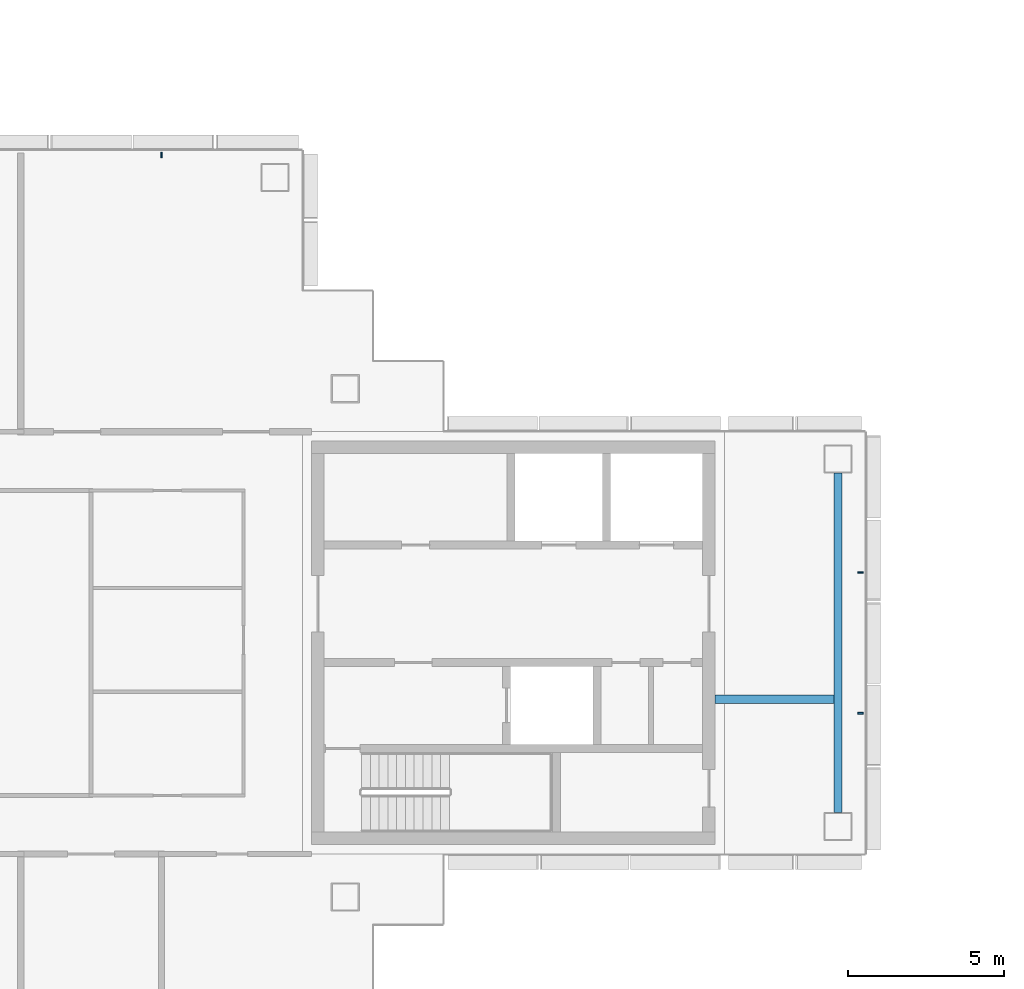
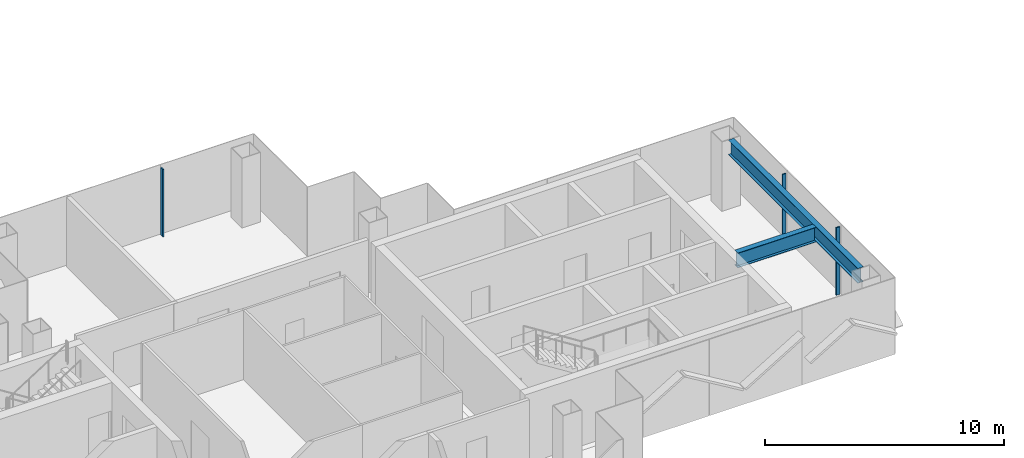
# One storey, part 4 of 17: 3 members, 2 beams, 2 elements without a shape of their own.
"""IFC4 building model written with IfcOpenShell, lengths in metres."""

from ifc_helpers import new_model, si_unit, direction, frame, origin, origin_2d, place, context, subcontext, project, spatial, rectangle, i_section, extrude, material, layer, layer_set, material_profile, profile_set, type_object, element, aggregate, save


model = new_model("IFC4")

# Units and contexts
model_context = context("Model", 3, precision=1e-05, world=origin(), true_north=direction((0.0, 1.0)))
body_context = subcontext(model_context, "Body", "Model", "MODEL_VIEW")
ifc_project = project(units=[si_unit("LENGTHUNIT", "METRE"), si_unit("AREAUNIT", "SQUARE_METRE"), si_unit("VOLUMEUNIT", "CUBIC_METRE"), si_unit("PLANEANGLEUNIT", "RADIAN"), si_unit("MASSUNIT", "GRAM", prefix="KILO")], contexts=[model_context])

# Site, building, storey
site_placement = place(None, origin())
site = spatial("IfcSite", under=ifc_project, at=site_placement, CompositionType="ELEMENT")
building_placement = place(site_placement, origin())
building = spatial("IfcBuilding", under=site, at=building_placement, Name="Shamsa Quay Exchange Towers", CompositionType="ELEMENT")
storey_placement = place(building_placement, frame((0.0, 0.0, 257.699951171875)))
storey = spatial("IfcBuildingStorey", under=building, at=storey_placement, Name="L62", CompositionType="ELEMENT", Elevation=257.699951171875)

# Curtain wall, members
ifc_material_1 = material(Name="Aluminium EN AW-6063 T6, black anodised", Category="aluminium")
ifc_layer = layer(ifc_material_1, 0.280029296875)
ifc_layer_set = layer_set([ifc_layer], Name="CW-1 UNITISED VISION GLASS")
curtain_wall_type = type_object("IfcCurtainWallType", Name="CW-1 UNITISED VISION GLASS", PredefinedType="NOTDEFINED", material=ifc_layer_set)
curtain_wall_1_placement = place(storey_placement, origin())
curtain_wall_1 = element("IfcCurtainWall", 1, at=curtain_wall_1_placement, inside=storey, type_object=curtain_wall_type, Name="CW1 T1-END-U+ L62", PredefinedType="NOTDEFINED")
ifc_material_profile_1 = material_profile(ifc_material_1, rectangle(XDim=0.179931640625, YDim=0.06005859375, at=origin_2d()), Name="MU60x180")
ifc_profile_set_1 = profile_set([ifc_material_profile_1], Name="Aluminium EN AW-6063 T6, black anodised")
member_type = type_object("IfcMemberType", Name="CW1 MULLION 60x180", PredefinedType="MULLION", material=ifc_profile_set_1)
member_1_placement = place(storey_placement, frame((-9.14990234375, -2.25, 0.0), z_axis=(0.0, 0.0, 1.0), x_axis=(-1.0, 0.0, 0.0)))
member_1 = element("IfcMember", 2, at=member_1_placement, type_object=member_type, Name="CW1 mullion", PredefinedType="MULLION", context=body_context, shape_type="SweptSolid", body=[
    extrude(rectangle(XDim=0.179931640625, YDim=0.06005859375, at=origin_2d()), origin(), (0.0, 0.0, 1.0), 3.449951171875),
])
member_2_placement = place(storey_placement, frame((-9.14990234375, 2.25, 0.0), z_axis=(0.0, 0.0, 1.0), x_axis=(-1.0, 0.0, 0.0)))
member_2 = element("IfcMember", 3, at=member_2_placement, type_object=member_type, Name="CW1 mullion", PredefinedType="MULLION", context=body_context, shape_type="SweptSolid", body=[
    extrude(rectangle(XDim=0.179931640625, YDim=0.06005859375, at=origin_2d()), origin(), (0.0, 0.0, 1.0), 3.449951171875),
])
aggregate(curtain_wall_1, [member_1, member_2])

# Curtain wall, member
curtain_wall_2_placement = place(storey_placement, origin())
curtain_wall_2 = element("IfcCurtainWall", 4, at=curtain_wall_2_placement, inside=storey, type_object=curtain_wall_type, Name="CW1 T1-END-V+ L62", PredefinedType="NOTDEFINED")
member_3_placement = place(storey_placement, frame((-31.5, 15.60009765625, 0.0), z_axis=(0.0, 0.0, 1.0), x_axis=(0.0, -1.0, 0.0)))
member_3 = element("IfcMember", 5, at=member_3_placement, type_object=member_type, Name="CW1 mullion", PredefinedType="MULLION", context=body_context, shape_type="SweptSolid", body=[
    extrude(rectangle(XDim=0.179931640625, YDim=0.06005859375, at=origin_2d()), origin(), (0.0, 0.0, 1.0), 3.449951171875),
])
aggregate(curtain_wall_2, [member_3])

# Beams
ifc_material_2 = material(Name="Steel S355", Category="steel")
ifc_material_profile_2 = material_profile(ifc_material_2, i_section(OverallWidth=0.26611328125, OverallDepth=0.7578125, WebThickness=0.013916015625, FlangeThickness=0.019287109375, at=origin_2d()), Name="W30x108")
ifc_profile_set_2 = profile_set([ifc_material_profile_2], Name="Steel S355")
beam_type = type_object("IfcBeamType", Name="End-zone beam W30x108", PredefinedType="BEAM", material=ifc_profile_set_2)
beam_1_placement = place(storey_placement, frame((-9.875, -5.425048828125, 3.171142578125), z_axis=(0.0, 1.0, 0.0), x_axis=(-1.0, 0.0, 0.0)))
element("IfcBeam", 6, at=beam_1_placement, inside=storey, type_object=beam_type, Name="End beam T1 U+ end zone L62", PredefinedType="BEAM", context=body_context, shape_type="SweptSolid", body=[
    extrude(i_section(OverallWidth=0.26611328125, OverallDepth=0.7578125, WebThickness=0.013916015625, FlangeThickness=0.019287109375, at=origin_2d()), origin(), (0.0, 0.0, 1.0), 10.85009765625),
])
beam_2_placement = place(storey_placement, frame((-13.800048828125, -1.800048828125, 3.171142578125), z_axis=(1.0, 0.0, 0.0), x_axis=(0.0, 1.0, 0.0)))
element("IfcBeam", 7, at=beam_2_placement, inside=storey, type_object=beam_type, Name="Spine beam T1 U+ end zone L62", PredefinedType="BEAM", context=body_context, shape_type="SweptSolid", body=[
    extrude(i_section(OverallWidth=0.26611328125, OverallDepth=0.7578125, WebThickness=0.013916015625, FlangeThickness=0.019287109375, at=origin_2d()), origin(), (0.0, 0.0, 1.0), 3.7919921875),
])

save(model, "model.ifc")
